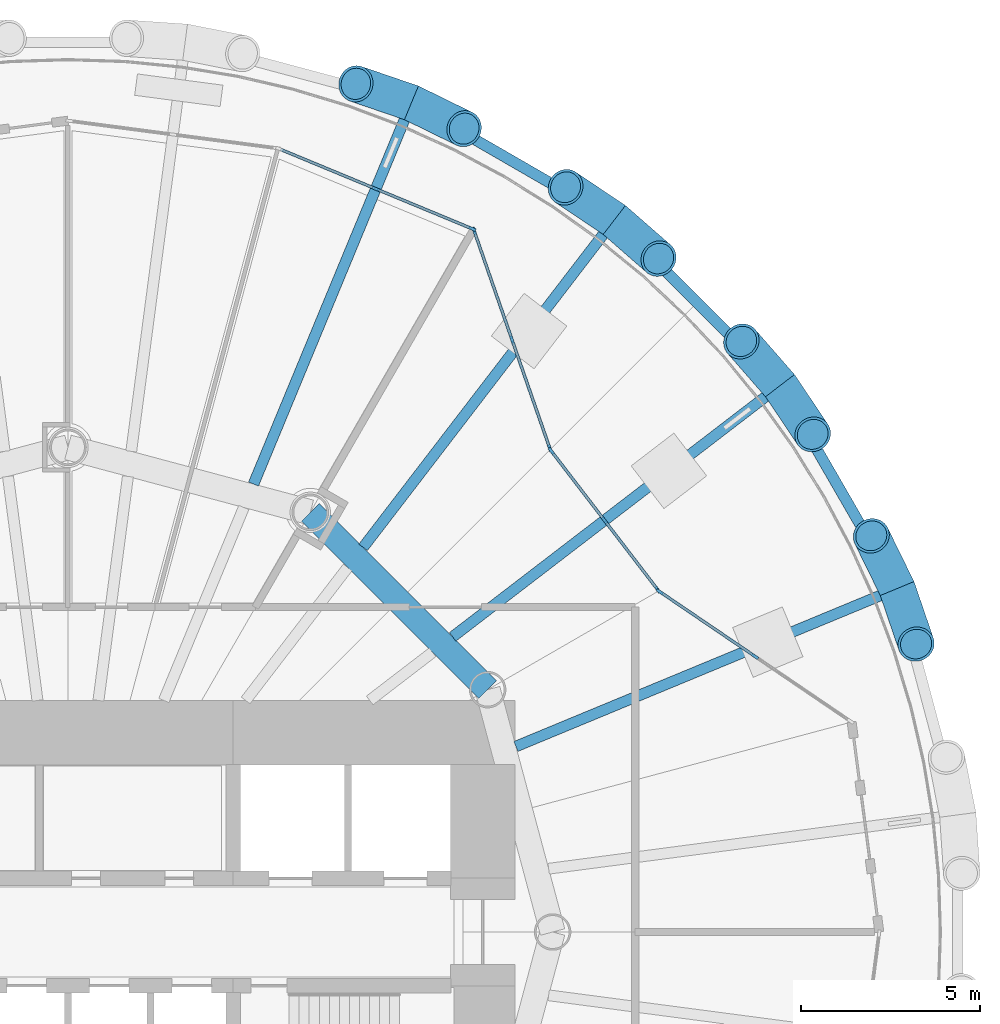
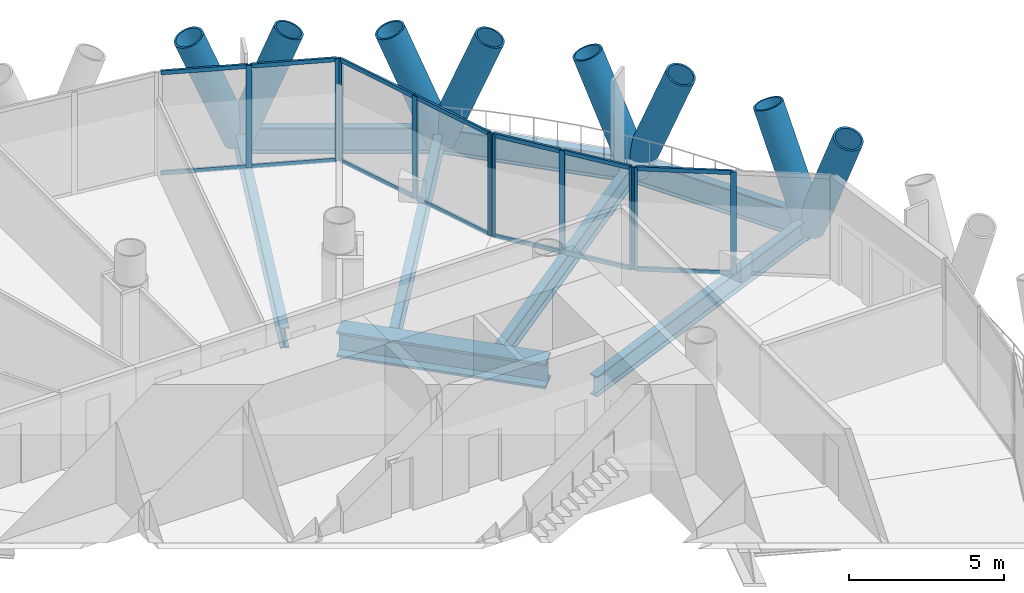
# One storey, part 7 of 16: 32 members, 8 beams, 4 elements without a shape of their own.
"""IFC4 building model written with IfcOpenShell, lengths in metres."""

from ifc_helpers import new_model, si_unit, direction, frame, origin, origin_2d, place, context, subcontext, project, spatial, rectangle, hollow_circle, i_section, extrude, material, material_profile, profile_set, type_object, element, aggregate, save


model = new_model("IFC4")

# Units and contexts
model_context = context("Model", 3, precision=1e-05, world=origin(), true_north=direction((0.0, 1.0)))
body_context = subcontext(model_context, "Body", "Model", "MODEL_VIEW")
ifc_project = project(units=[si_unit("LENGTHUNIT", "METRE"), si_unit("AREAUNIT", "SQUARE_METRE"), si_unit("VOLUMEUNIT", "CUBIC_METRE"), si_unit("PLANEANGLEUNIT", "RADIAN"), si_unit("MASSUNIT", "GRAM", prefix="KILO")], contexts=[model_context])

# Site, building, storey
site_placement = place(None, origin())
site = spatial("IfcSite", under=ifc_project, at=site_placement, CompositionType="ELEMENT")
building_placement = place(site_placement, origin())
building = spatial("IfcBuilding", under=site, at=building_placement, Name="Qaws Media Tower", CompositionType="ELEMENT")
storey_placement = place(building_placement, frame((0.0, 0.0, 135.199951171875)))
storey = spatial("IfcBuildingStorey", under=building, at=storey_placement, Name="L30", CompositionType="ELEMENT", Elevation=135.199951171875)

# Curtain wall, members
ifc_material_1 = material(Name="Aluminium and clear glass", Category="aluminium")
curtain_wall_type_1 = type_object("IfcCurtainWallType", Name="Loggia curtain wall CW-G", PredefinedType="NOTDEFINED", material=ifc_material_1)
curtain_wall_1_placement = place(storey_placement, origin())
curtain_wall_1 = element("IfcCurtainWall", 1, at=curtain_wall_1_placement, inside=storey, type_object=curtain_wall_type_1, Name="CWG curtain wall L30-02", PredefinedType="NOTDEFINED")
ifc_material_2 = material(Name="Aluminium mullion", Category="aluminium")
ifc_material_profile_1 = material_profile(ifc_material_2, rectangle(XDim=0.080078125, YDim=0.199951171875, at=origin_2d()), Name="80x200")
ifc_profile_set_1 = profile_set([ifc_material_profile_1], Name="Aluminium mullion")
member_type_1 = type_object("IfcMemberType", Name="Curtain wall mullion 80x200", PredefinedType="MULLION", material=ifc_profile_set_1)
member_1_placement = place(storey_placement, frame((79.14208984375, 57.674560546875, 0.0), z_axis=(0.0, 0.0, 1.0), x_axis=(-0.561824804409, -0.82725624153, 0.0)))
member_1 = element("IfcMember", 2, at=member_1_placement, type_object=member_type_1, Name="CWG mullion 2", PredefinedType="MULLION", context=body_context, shape_type="SweptSolid", body=[
    extrude(rectangle(XDim=0.080078125, YDim=0.199951171875, at=origin_2d()), origin(), (0.0, 0.0, 1.0), 4.0400390625),
])
member_2_placement = place(storey_placement, frame((76.487548828125, 59.4775390625, 0.0), z_axis=(0.0, 0.0, 1.0), x_axis=(-0.561824804409, -0.82725624153, 0.0)))
member_2 = element("IfcMember", 3, at=member_2_placement, type_object=member_type_1, Name="CWG mullion 3", PredefinedType="MULLION", context=body_context, shape_type="SweptSolid", body=[
    extrude(rectangle(XDim=0.080078125, YDim=0.199951171875, at=origin_2d()), origin(), (0.0, 0.0, 1.0), 4.0400390625),
])

curtain_wall_2_placement = place(storey_placement, origin())
curtain_wall_2 = element("IfcCurtainWall", 4, at=curtain_wall_2_placement, inside=storey, type_object=curtain_wall_type_1, Name="CWG curtain wall L30-03", PredefinedType="NOTDEFINED")
member_3_placement = place(storey_placement, frame((76.43017578125, 59.53173828125, 0.0), z_axis=(0.0, 0.0, 1.0), x_axis=(-0.793353335436, -0.608761435337, 0.0)))
member_3 = element("IfcMember", 5, at=member_3_placement, type_object=member_type_1, Name="CWG mullion 1", PredefinedType="MULLION", context=body_context, shape_type="SweptSolid", body=[
    extrude(rectangle(XDim=0.080078125, YDim=0.199951171875, at=origin_2d()), origin(), (0.0, 0.0, 1.0), 4.0400390625),
])
member_4_placement = place(storey_placement, frame((74.94482421875, 61.467529296875, 0.0), z_axis=(0.0, 0.0, 1.0), x_axis=(-0.793353335436, -0.608761435337, 0.0)))
member_4 = element("IfcMember", 6, at=member_4_placement, type_object=member_type_1, Name="CWG mullion 2", PredefinedType="MULLION", context=body_context, shape_type="SweptSolid", body=[
    extrude(rectangle(XDim=0.080078125, YDim=0.199951171875, at=origin_2d()), origin(), (0.0, 0.0, 1.0), 4.0400390625),
])
member_5_placement = place(storey_placement, frame((73.45947265625, 63.4033203125, 0.0), z_axis=(0.0, 0.0, 1.0), x_axis=(-0.793353335436, -0.608761435337, 0.0)))
member_5 = element("IfcMember", 7, at=member_5_placement, type_object=member_type_1, Name="CWG mullion 3", PredefinedType="MULLION", context=body_context, shape_type="SweptSolid", body=[
    extrude(rectangle(XDim=0.080078125, YDim=0.199951171875, at=origin_2d()), origin(), (0.0, 0.0, 1.0), 4.0400390625),
])

curtain_wall_3_placement = place(storey_placement, origin())
curtain_wall_3 = element("IfcCurtainWall", 8, at=curtain_wall_3_placement, inside=storey, type_object=curtain_wall_type_1, Name="CWG curtain wall L30-04", PredefinedType="NOTDEFINED")
member_6_placement = place(storey_placement, frame((73.421875, 63.472900390625, 0.0), z_axis=(0.0, 0.0, 1.0), x_axis=(-0.94447913343, -0.328571402462, 0.0)))
member_6 = element("IfcMember", 9, at=member_6_placement, type_object=member_type_1, Name="CWG mullion 1", PredefinedType="MULLION", context=body_context, shape_type="SweptSolid", body=[
    extrude(rectangle(XDim=0.080078125, YDim=0.199951171875, at=origin_2d()), origin(), (0.0, 0.0, 1.0), 4.0400390625),
])
member_7_placement = place(storey_placement, frame((72.367431640625, 66.503662109375, 0.0), z_axis=(0.0, 0.0, 1.0), x_axis=(-0.94447913343, -0.328571402462, 0.0)))
member_7 = element("IfcMember", 10, at=member_7_placement, type_object=member_type_1, Name="CWG mullion 2", PredefinedType="MULLION", context=body_context, shape_type="SweptSolid", body=[
    extrude(rectangle(XDim=0.080078125, YDim=0.199951171875, at=origin_2d()), origin(), (0.0, 0.0, 1.0), 4.0400390625),
])
member_8_placement = place(storey_placement, frame((71.313232421875, 69.534423828125, 0.0), z_axis=(0.0, 0.0, 1.0), x_axis=(-0.94447913343, -0.328571402462, 0.0)))
member_8 = element("IfcMember", 11, at=member_8_placement, type_object=member_type_1, Name="CWG mullion 3", PredefinedType="MULLION", context=body_context, shape_type="SweptSolid", body=[
    extrude(rectangle(XDim=0.080078125, YDim=0.199951171875, at=origin_2d()), origin(), (0.0, 0.0, 1.0), 4.0400390625),
])

ifc_material_3 = material(Name="Aluminium and clear glass", Category="aluminium")
curtain_wall_type_2 = type_object("IfcCurtainWallType", Name="Unitised curtain wall CW-B", PredefinedType="NOTDEFINED", material=ifc_material_3)
curtain_wall_4_placement = place(storey_placement, origin())
curtain_wall_4 = element("IfcCurtainWall", 12, at=curtain_wall_4_placement, inside=storey, type_object=curtain_wall_type_2, Name="CWB curtain wall L30-05", PredefinedType="NOTDEFINED")
member_9_placement = place(storey_placement, frame((71.262939453125, 69.58740234375, 0.0), z_axis=(0.0, 0.0, 1.0), x_axis=(-0.382683472548, -0.923879515867, 0.0)))
member_9 = element("IfcMember", 13, at=member_9_placement, type_object=member_type_1, Name="CWB mullion 1", PredefinedType="MULLION", context=body_context, shape_type="SweptSolid", body=[
    extrude(rectangle(XDim=0.080078125, YDim=0.199951171875, at=origin_2d()), origin(), (0.0, 0.0, 1.0), 4.0400390625),
])
member_10_placement = place(storey_placement, frame((68.57470703125, 70.700927734375, 0.0), z_axis=(0.0, 0.0, 1.0), x_axis=(-0.382683472548, -0.923879515867, 0.0)))
member_10 = element("IfcMember", 14, at=member_10_placement, type_object=member_type_1, Name="CWB mullion 2", PredefinedType="MULLION", context=body_context, shape_type="SweptSolid", body=[
    extrude(rectangle(XDim=0.080078125, YDim=0.199951171875, at=origin_2d()), origin(), (0.0, 0.0, 1.0), 4.0400390625),
])

# Member
ifc_material_4 = material(Name="Aluminium transom", Category="aluminium")
ifc_material_profile_2 = material_profile(ifc_material_4, rectangle(XDim=0.080078125, YDim=0.159912109375, at=origin_2d()), Name="80x160")
ifc_profile_set_2 = profile_set([ifc_material_profile_2], Name="Aluminium transom")
member_type_2 = type_object("IfcMemberType", Name="Curtain wall transom 80x160", PredefinedType="USERDEFINED", material=ifc_profile_set_2)
member_11_placement = place(storey_placement, frame((79.109130859375, 57.697021484375, 0.0400390625), z_axis=(-0.827229692188, 0.561863894873, 0.0), x_axis=(-0.561863894873, -0.827229692188, 0.0)))
member_11 = element("IfcMember", 15, at=member_11_placement, type_object=member_type_2, Name="CWG transom 2.1", ObjectType="TRANSOM", PredefinedType="USERDEFINED", context=body_context, shape_type="SweptSolid", body=[
    extrude(rectangle(XDim=0.080078125, YDim=0.159912109375, at=origin_2d()), origin(), (0.0, 0.0, 1.0), 3.12890625),
])

member_12_placement = place(storey_placement, frame((79.109130859375, 57.697021484375, 4.0), z_axis=(-0.827229692188, 0.561863894873, 0.0), x_axis=(-0.561863894873, -0.827229692188, 0.0)))
member_12 = element("IfcMember", 16, at=member_12_placement, type_object=member_type_2, Name="CWG transom 2.2", ObjectType="TRANSOM", PredefinedType="USERDEFINED", context=body_context, shape_type="SweptSolid", body=[
    extrude(rectangle(XDim=0.080078125, YDim=0.159912109375, at=origin_2d()), origin(), (0.0, 0.0, 1.0), 3.12890625),
])

aggregate(curtain_wall_1, [member_1, member_2, member_11, member_12])

member_13_placement = place(storey_placement, frame((76.40576171875, 59.5634765625, 0.0400390625), z_axis=(-0.608785475942, 0.793334887851, 0.0), x_axis=(-0.793334887851, -0.608785475942, 0.0)))
member_13 = element("IfcMember", 17, at=member_13_placement, type_object=member_type_2, Name="CWG transom 1.1", ObjectType="TRANSOM", PredefinedType="USERDEFINED", context=body_context, shape_type="SweptSolid", body=[
    extrude(rectangle(XDim=0.080078125, YDim=0.159912109375, at=origin_2d()), origin(), (0.0, 0.0, 1.0), 2.360107421875),
])

member_14_placement = place(storey_placement, frame((76.40576171875, 59.5634765625, 4.0), z_axis=(-0.608785475942, 0.793334887851, 0.0), x_axis=(-0.793334887851, -0.608785475942, 0.0)))
member_14 = element("IfcMember", 18, at=member_14_placement, type_object=member_type_2, Name="CWG transom 1.2", ObjectType="TRANSOM", PredefinedType="USERDEFINED", context=body_context, shape_type="SweptSolid", body=[
    extrude(rectangle(XDim=0.080078125, YDim=0.159912109375, at=origin_2d()), origin(), (0.0, 0.0, 1.0), 2.360107421875),
])

member_15_placement = place(storey_placement, frame((74.92041015625, 61.499267578125, 0.0400390625), z_axis=(-0.608785475942, 0.793334887851, 0.0), x_axis=(-0.793334887851, -0.608785475942, 0.0)))
member_15 = element("IfcMember", 19, at=member_15_placement, type_object=member_type_2, Name="CWG transom 2.1", ObjectType="TRANSOM", PredefinedType="USERDEFINED", context=body_context, shape_type="SweptSolid", body=[
    extrude(rectangle(XDim=0.080078125, YDim=0.159912109375, at=origin_2d()), origin(), (0.0, 0.0, 1.0), 2.360107421875),
])

member_16_placement = place(storey_placement, frame((74.92041015625, 61.499267578125, 4.0), z_axis=(-0.608785475942, 0.793334887851, 0.0), x_axis=(-0.793334887851, -0.608785475942, 0.0)))
member_16 = element("IfcMember", 20, at=member_16_placement, type_object=member_type_2, Name="CWG transom 2.2", ObjectType="TRANSOM", PredefinedType="USERDEFINED", context=body_context, shape_type="SweptSolid", body=[
    extrude(rectangle(XDim=0.080078125, YDim=0.159912109375, at=origin_2d()), origin(), (0.0, 0.0, 1.0), 2.360107421875),
])

aggregate(curtain_wall_2, [member_3, member_4, member_5, member_13, member_14, member_15, member_16])

member_17_placement = place(storey_placement, frame((73.40869140625, 63.510498046875, 0.0400390625), z_axis=(-0.328559965702, 0.944483112045, 0.0), x_axis=(-0.944483112045, -0.328559965702, 0.0)))
member_17 = element("IfcMember", 21, at=member_17_placement, type_object=member_type_2, Name="CWG transom 1.1", ObjectType="TRANSOM", PredefinedType="USERDEFINED", context=body_context, shape_type="SweptSolid", body=[
    extrude(rectangle(XDim=0.080078125, YDim=0.159912109375, at=origin_2d()), origin(), (0.0, 0.0, 1.0), 3.129150390625),
])

member_18_placement = place(storey_placement, frame((73.40869140625, 63.510498046875, 4.0), z_axis=(-0.328559965702, 0.944483112045, 0.0), x_axis=(-0.944483112045, -0.328559965702, 0.0)))
member_18 = element("IfcMember", 22, at=member_18_placement, type_object=member_type_2, Name="CWG transom 1.2", ObjectType="TRANSOM", PredefinedType="USERDEFINED", context=body_context, shape_type="SweptSolid", body=[
    extrude(rectangle(XDim=0.080078125, YDim=0.159912109375, at=origin_2d()), origin(), (0.0, 0.0, 1.0), 3.129150390625),
])

member_19_placement = place(storey_placement, frame((72.3544921875, 66.541259765625, 0.0400390625), z_axis=(-0.328629564397, 0.944458897679, 0.0), x_axis=(-0.944458897679, -0.328629564397, 0.0)))
member_19 = element("IfcMember", 23, at=member_19_placement, type_object=member_type_2, Name="CWG transom 2.1", ObjectType="TRANSOM", PredefinedType="USERDEFINED", context=body_context, shape_type="SweptSolid", body=[
    extrude(rectangle(XDim=0.080078125, YDim=0.159912109375, at=origin_2d()), origin(), (0.0, 0.0, 1.0), 3.129150390625),
])

member_20_placement = place(storey_placement, frame((72.3544921875, 66.541259765625, 4.0), z_axis=(-0.328629564397, 0.944458897679, 0.0), x_axis=(-0.944458897679, -0.328629564397, 0.0)))
member_20 = element("IfcMember", 24, at=member_20_placement, type_object=member_type_2, Name="CWG transom 2.2", ObjectType="TRANSOM", PredefinedType="USERDEFINED", context=body_context, shape_type="SweptSolid", body=[
    extrude(rectangle(XDim=0.080078125, YDim=0.159912109375, at=origin_2d()), origin(), (0.0, 0.0, 1.0), 3.129150390625),
])

aggregate(curtain_wall_3, [member_6, member_7, member_8, member_17, member_18, member_19, member_20])

member_21_placement = place(storey_placement, frame((71.22607421875, 69.602783203125, 0.0400390625), z_axis=(-0.923873829864, 0.382697199484, 0.0), x_axis=(-0.382697199484, -0.923873829864, 0.0)))
member_21 = element("IfcMember", 25, at=member_21_placement, type_object=member_type_2, Name="CWB transom 1.1", ObjectType="TRANSOM", PredefinedType="USERDEFINED", context=body_context, shape_type="SweptSolid", body=[
    extrude(rectangle(XDim=0.080078125, YDim=0.159912109375, at=origin_2d()), origin(), (0.0, 0.0, 1.0), 2.829833984375),
])

member_22_placement = place(storey_placement, frame((71.22607421875, 69.602783203125, 4.0), z_axis=(-0.923873829864, 0.382697199484, 0.0), x_axis=(-0.382697199484, -0.923873829864, 0.0)))
member_22 = element("IfcMember", 26, at=member_22_placement, type_object=member_type_2, Name="CWB transom 1.2", ObjectType="TRANSOM", PredefinedType="USERDEFINED", context=body_context, shape_type="SweptSolid", body=[
    extrude(rectangle(XDim=0.080078125, YDim=0.159912109375, at=origin_2d()), origin(), (0.0, 0.0, 1.0), 2.829833984375),
])

member_23_placement = place(storey_placement, frame((68.53759765625, 70.71630859375, 0.0400390625), z_axis=(-0.92386119338, 0.382727703944, 0.0), x_axis=(-0.382727703944, -0.92386119338, 0.0)))
member_23 = element("IfcMember", 27, at=member_23_placement, type_object=member_type_2, Name="CWB transom 2.1", ObjectType="TRANSOM", PredefinedType="USERDEFINED", context=body_context, shape_type="SweptSolid", body=[
    extrude(rectangle(XDim=0.080078125, YDim=0.159912109375, at=origin_2d()), origin(), (0.0, 0.0, 1.0), 2.82958984375),
])

member_24_placement = place(storey_placement, frame((68.53759765625, 70.71630859375, 4.0), z_axis=(-0.92386119338, 0.382727703944, 0.0), x_axis=(-0.382727703944, -0.92386119338, 0.0)))
member_24 = element("IfcMember", 28, at=member_24_placement, type_object=member_type_2, Name="CWB transom 2.2", ObjectType="TRANSOM", PredefinedType="USERDEFINED", context=body_context, shape_type="SweptSolid", body=[
    extrude(rectangle(XDim=0.080078125, YDim=0.159912109375, at=origin_2d()), origin(), (0.0, 0.0, 1.0), 2.82958984375),
])

aggregate(curtain_wall_4, [member_9, member_10, member_21, member_22, member_23, member_24])

# Members
ifc_material_5 = material(Name="Steel S460", Category="steel")
ifc_material_profile_3 = material_profile(ifc_material_5, hollow_circle(Radius=0.508056640625, WallThickness=0.070068359375, at=origin_2d()), Name="CHS 1016x70")
ifc_profile_set_3 = profile_set([ifc_material_profile_3], Name="Steel S460")
member_type_3 = type_object("IfcMemberType", Name="Diagrid member CHS 1016x70", PredefinedType="USERDEFINED", material=ifc_profile_set_3)
for number, where, z_axis, x_axis, name in (
    (29, (83.096923828125, 59.567138671875, -0.6640625), (-0.159737035163, 0.325703218866, 0.931880621548), (-0.897835078341, -0.440331888579, 0.0), "DG3 diagrid L30 A02"),
    (30, (83.096923828125, 59.567138671875, -0.6640625), (0.117378706623, -0.343252821351, 0.931879681003), (0.946206096041, 0.323564558959, 0.0), "DG3 diagrid L30 B02"),
    (31, (79.833740234375, 65.218994140625, -0.6640625), (-0.238602324229, 0.273268723209, 0.931876137579), (-0.753269974969, -0.657711444944, 0.0), "DG3 diagrid L30 A03"),
):
    element("IfcMember", number, at=place(storey_placement, frame(where, z_axis=z_axis, x_axis=x_axis)), inside=storey, type_object=member_type_3, Name=name, ObjectType="DIAGRID", PredefinedType="USERDEFINED", context=body_context, shape_type="SweptSolid", body=[
        extrude(hollow_circle(Radius=0.508056640625, WallThickness=0.070068359375, at=origin_2d()), origin(), (0.0, 0.0, 1.0), 4.50732421875),
    ])
for number, where, z_axis, x_axis, name in (
    (32, (79.833740234375, 65.218994140625, -0.6640625), (0.202204729497, -0.301167504957, 0.931885927207), (0.830231002951, 0.557419484535, 0.0), "DG3 diagrid L30 B03"),
    (33, (75.218994140625, 69.833740234375, -0.6640625), (-0.301167504957, 0.202204729497, 0.931885927207), (-0.557419484535, -0.830231002951, 0.0), "DG3 diagrid L30 A04"),
):
    element("IfcMember", number, at=place(storey_placement, frame(where, z_axis=z_axis, x_axis=x_axis)), inside=storey, type_object=member_type_3, Name=name, ObjectType="DIAGRID", PredefinedType="USERDEFINED", context=body_context, shape_type="SweptSolid", body=[
        extrude(hollow_circle(Radius=0.508056640625, WallThickness=0.070068359375, at=origin_2d()), origin(), (0.0, 0.0, 1.0), 4.507080078125),
    ])
for number, where, z_axis, x_axis, name in (
    (34, (75.218994140625, 69.833740234375, -0.6640625), (0.273268723209, -0.238602324229, 0.931876137579), (0.657711444944, 0.753269974969, 0.0), "DG3 diagrid L30 B04"),
    (35, (69.567138671875, 73.096923828125, -0.6640625), (-0.343252821351, 0.117378706623, 0.931879681003), (-0.323564558959, -0.946206096041, 0.0), "DG3 diagrid L30 A05"),
    (36, (69.567138671875, 73.096923828125, -0.6640625), (0.325703218866, -0.159737035163, 0.931880621548), (0.440331888579, 0.897835078341, 0.0), "DG3 diagrid L30 B05"),
):
    element("IfcMember", number, at=place(storey_placement, frame(where, z_axis=z_axis, x_axis=x_axis)), inside=storey, type_object=member_type_3, Name=name, ObjectType="DIAGRID", PredefinedType="USERDEFINED", context=body_context, shape_type="SweptSolid", body=[
        extrude(hollow_circle(Radius=0.508056640625, WallThickness=0.070068359375, at=origin_2d()), origin(), (0.0, 0.0, 1.0), 4.50732421875),
    ])

# Beams
ifc_material_6 = material(Name="Steel S460", Category="steel")
ifc_material_profile_4 = material_profile(ifc_material_6, i_section(OverallWidth=0.302001953125, OverallDepth=1.008056640625, WebThickness=0.02099609375, FlangeThickness=0.0400390625, FilletRadius=0.030029296875, at=origin_2d()), Name="HE 1000 M")
ifc_profile_set_4 = profile_set([ifc_material_profile_4], Name="Steel S460")
beam_type_1 = type_object("IfcBeamType", Name="Edge ring beam HE 1000 M", PredefinedType="BEAM", material=ifc_profile_set_4)
for number, where, z_axis, x_axis, name in (
    (37, (83.096923828125, 59.567138671875, -0.6640625), (-0.500009574865, 0.866019875663, 0.0), (-0.866019875663, -0.500009574865, 0.0), "RB3 edge ring beam L30-02"),
    (38, (79.833740234375, 65.218994140625, -0.6640625), (-0.707106781187, 0.707106781187, 0.0), (-0.707106781187, -0.707106781187, 0.0), "RB3 edge ring beam L30-03"),
    (39, (75.218994140625, 69.833740234375, -0.6640625), (-0.866019875663, 0.500009574865, 0.0), (-0.500009574865, -0.866019875663, 0.0), "RB3 edge ring beam L30-04"),
):
    element("IfcBeam", number, at=place(storey_placement, frame(where, z_axis=z_axis, x_axis=x_axis)), inside=storey, type_object=beam_type_1, Name=name, PredefinedType="BEAM", context=body_context, shape_type="SweptSolid", body=[
        extrude(i_section(OverallWidth=0.302001953125, OverallDepth=1.008056640625, WebThickness=0.02099609375, FlangeThickness=0.0400390625, FilletRadius=0.030029296875, at=origin_2d()), origin(), (0.0, 0.0, 1.0), 6.526123046875),
    ])
ifc_material_7 = material(Name="Steel S460", Category="steel")
ifc_material_profile_5 = material_profile(ifc_material_7, i_section(OverallWidth=0.699951171875, OverallDepth=1.0, WebThickness=0.034912109375, FlangeThickness=0.090087890625, at=origin_2d()), Name="PG 1000x700")
ifc_profile_set_5 = profile_set([ifc_material_profile_5], Name="Steel S460")
beam_type_2 = type_object("IfcBeamType", Name="Inner ring girder PG 1000x700", PredefinedType="BEAM", material=ifc_profile_set_5)
beam_placement = place(storey_placement, frame((71.69140625, 56.75, -0.659912109375), z_axis=(-0.707106781187, 0.707106781187, 0.0), x_axis=(-0.707106781187, -0.707106781187, 0.0)))
element("IfcBeam", 40, at=beam_placement, inside=storey, type_object=beam_type_2, Name="B3 inner ring beam L30 I02-I03", PredefinedType="BEAM", context=body_context, shape_type="SweptSolid", body=[
    extrude(i_section(OverallWidth=0.699951171875, OverallDepth=1.0, WebThickness=0.034912109375, FlangeThickness=0.090087890625, at=origin_2d()), origin(), (0.0, 0.0, 1.0), 6.98828125),
])
ifc_material_8 = material(Name="Steel S355", Category="steel")
ifc_material_profile_6 = material_profile(ifc_material_8, i_section(OverallWidth=0.300048828125, OverallDepth=0.800048828125, WebThickness=0.017578125, FlangeThickness=0.032958984375, FilletRadius=0.030029296875, at=origin_2d()), Name="HE 800 B")
ifc_profile_set_6 = profile_set([ifc_material_profile_6], Name="Steel S355")
beam_type_3 = type_object("IfcBeamType", Name="Radial beam HE 800 B", PredefinedType="BEAM", material=ifc_profile_set_6)
for number, where, z_axis, x_axis, name in (
    (41, (72.4775390625, 55.16845703125, -0.56005859375), (0.92387988788, 0.382682574429, 0.0), (-0.382682574429, 0.92387988788, 0.0), "B1 radial beam L30 02"),
    (42, (70.714599609375, 58.2216796875, -0.56005859375), (0.793355367855, 0.608758786627, 0.0), (-0.608758786627, 0.793355367855, 0.0), "B1 radial beam L30 03"),
    (43, (68.2216796875, 60.714599609375, -0.56005859375), (0.608758786627, 0.793355367855, 0.0), (-0.793355367855, 0.608758786627, 0.0), "B1 radial beam L30 04"),
    (44, (65.16845703125, 62.4775390625, -0.56005859375), (0.382682574429, 0.92387988788, 0.0), (-0.92387988788, 0.382682574429, 0.0), "B1 radial beam L30 05"),
):
    element("IfcBeam", number, at=place(storey_placement, frame(where, z_axis=z_axis, x_axis=x_axis)), inside=storey, type_object=beam_type_3, Name=name, PredefinedType="BEAM", context=body_context, shape_type="SweptSolid", body=[
        extrude(i_section(OverallWidth=0.300048828125, OverallDepth=0.800048828125, WebThickness=0.017578125, FlangeThickness=0.032958984375, FilletRadius=0.030029296875, at=origin_2d()), origin(), (0.0, 0.0, 1.0), 11.494384765625),
    ])

save(model, "model.ifc")
